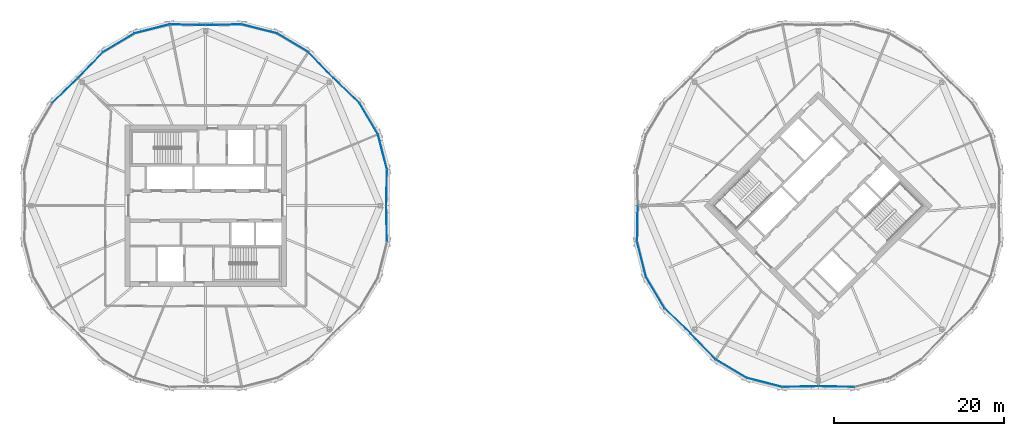
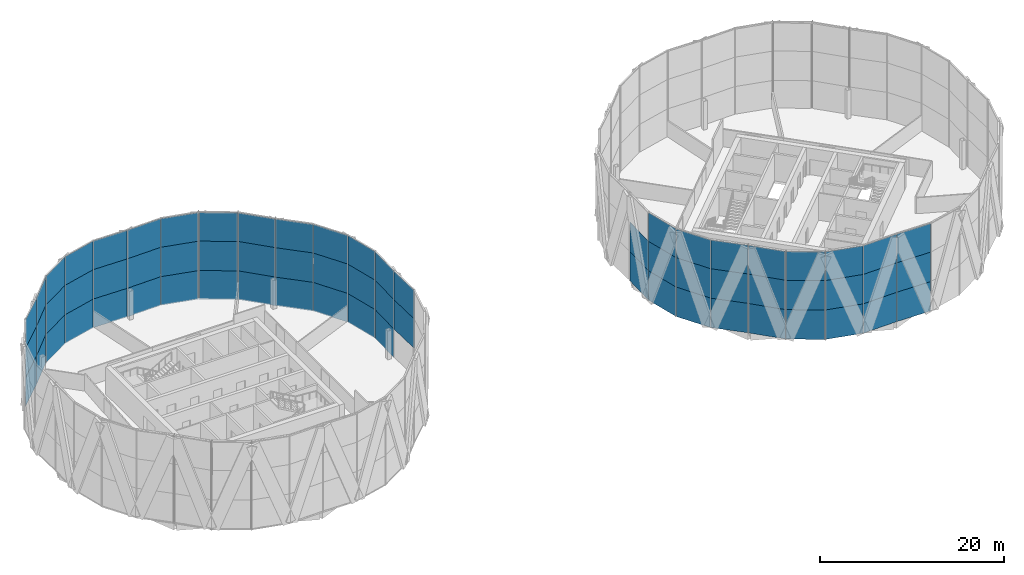
# One storey, part 16 of 25: 67 plates, 8 elements without a shape of their own.
"""IFC4 building model written with IfcOpenShell, lengths in metres."""

from ifc_helpers import new_model, si_unit, direction, frame, origin, origin_2d, place, context, subcontext, project, spatial, rectangle, extrude, material, layer, layer_set, type_object, element, aggregate, save


model = new_model("IFC4")

# Units and contexts
model_context = context("Model", 3, precision=1e-05, world=origin(), true_north=direction((0.0, 1.0)))
body_context = subcontext(model_context, "Body", "Model", "MODEL_VIEW")
ifc_project = project(units=[si_unit("LENGTHUNIT", "METRE"), si_unit("AREAUNIT", "SQUARE_METRE"), si_unit("VOLUMEUNIT", "CUBIC_METRE"), si_unit("PLANEANGLEUNIT", "RADIAN"), si_unit("MASSUNIT", "GRAM", prefix="KILO")], contexts=[model_context])

# Site, building, storey
site_placement = place(None, origin())
site = spatial("IfcSite", under=ifc_project, at=site_placement, CompositionType="ELEMENT")
building_placement = place(site_placement, origin())
building = spatial("IfcBuilding", under=site, at=building_placement, Name="Ogive Gate Towers", CompositionType="ELEMENT")
storey_placement = place(building_placement, frame((0.0, 0.0, 196.800048828125)))
storey = spatial("IfcBuildingStorey", under=building, at=storey_placement, Name="L47", CompositionType="ELEMENT", Elevation=196.800048828125)

# Curtain wall, plates
ifc_material_1 = material(Name="Pale metal aluminium", Category="aluminium")
curtain_wall_type = type_object("IfcCurtainWallType", Name="Tower unitised wall, high zone", PredefinedType="NOTDEFINED", material=ifc_material_1)
curtain_wall_1_placement = place(storey_placement, origin())
curtain_wall_1 = element("IfcCurtainWall", 1, at=curtain_wall_1_placement, inside=storey, type_object=curtain_wall_type, Name="CW2 T1 ECW01", PredefinedType="NOTDEFINED")
ifc_material_2 = material(Name="Clear glass", Category="glass")
ifc_layer = layer(ifc_material_2, 0.028076171875)
ifc_layer_set = layer_set([ifc_layer], Name="Tower unitised wall, high zone glass panel")
plate_type = type_object("IfcPlateType", Name="Tower unitised wall, high zone glass panel", PredefinedType="CURTAIN_PANEL", material=ifc_layer_set)
plate_1_placement = place(storey_placement, frame((-14.737548828125, 2.11279296875, -0.2041015625), z_axis=(0.0, 0.0, 1.0), x_axis=(0.020052489003, 0.999798928628, 0.0)))
plate_1 = element("IfcPlate", 2, at=plate_1_placement, type_object=plate_type, Name="CW2 glass panel", PredefinedType="CURTAIN_PANEL", context=body_context, shape_type="SweptSolid", body=[
    extrude(rectangle(XDim=4.17236328125, YDim=0.028076171875, at=origin_2d()), origin(), (0.0, 0.0, 1.0), 3.803955078125),
])
plate_2_placement = place(storey_placement, frame((-14.737548828125, 2.11279296875, 3.60009765625), z_axis=(0.0, 0.0, 1.0), x_axis=(0.020052489003, 0.999798928628, 0.0)))
plate_2 = element("IfcPlate", 3, at=plate_2_placement, type_object=plate_type, Name="CW2 glass panel", PredefinedType="CURTAIN_PANEL", context=body_context, shape_type="SweptSolid", body=[
    extrude(rectangle(XDim=4.17236328125, YDim=0.028076171875, at=origin_2d()), origin(), (0.0, 0.0, 1.0), 3.89990234375),
])
plate_3_placement = place(storey_placement, frame((-14.737548828125, 2.11279296875, 7.5), z_axis=(0.0, 0.0, 1.0), x_axis=(0.020052489003, 0.999798928628, 0.0)))
plate_3 = element("IfcPlate", 4, at=plate_3_placement, type_object=plate_type, Name="CW2 glass panel", PredefinedType="CURTAIN_PANEL", context=body_context, shape_type="SweptSolid", body=[
    extrude(rectangle(XDim=4.17236328125, YDim=0.028076171875, at=origin_2d()), origin(), (0.0, 0.0, 1.0), 3.803955078125),
])
plate_4_placement = place(storey_placement, frame((-15.221435546875, 6.30908203125, -0.2041015625), z_axis=(0.0, 0.0, 1.0), x_axis=(-0.245290465828, 0.969449631169, 0.0)))
plate_4 = element("IfcPlate", 5, at=plate_4_placement, type_object=plate_type, Name="CW2 glass panel", PredefinedType="CURTAIN_PANEL", context=body_context, shape_type="SweptSolid", body=[
    extrude(rectangle(XDim=4.228515625, YDim=0.028076171875, at=origin_2d()), origin(), (0.0, 0.0, 1.0), 3.803955078125),
])
plate_5_placement = place(storey_placement, frame((-15.221435546875, 6.30908203125, 3.60009765625), z_axis=(0.0, 0.0, 1.0), x_axis=(-0.245290465828, 0.969449631169, 0.0)))
plate_5 = element("IfcPlate", 6, at=plate_5_placement, type_object=plate_type, Name="CW2 glass panel", PredefinedType="CURTAIN_PANEL", context=body_context, shape_type="SweptSolid", body=[
    extrude(rectangle(XDim=4.228515625, YDim=0.028076171875, at=origin_2d()), origin(), (0.0, 0.0, 1.0), 3.89990234375),
])
plate_6_placement = place(storey_placement, frame((-15.221435546875, 6.30908203125, 7.5), z_axis=(0.0, 0.0, 1.0), x_axis=(-0.245290465828, 0.969449631169, 0.0)))
plate_6 = element("IfcPlate", 7, at=plate_6_placement, type_object=plate_type, Name="CW2 glass panel", PredefinedType="CURTAIN_PANEL", context=body_context, shape_type="SweptSolid", body=[
    extrude(rectangle(XDim=4.228515625, YDim=0.028076171875, at=origin_2d()), origin(), (0.0, 0.0, 1.0), 3.803955078125),
])
plate_7_placement = place(storey_placement, frame((-16.84619140625, 10.231689453125, -0.2041015625), z_axis=(0.0, 0.0, 1.0), x_axis=(-0.512057856471, 0.858950959966, 0.0)))
plate_7 = element("IfcPlate", 8, at=plate_7_placement, type_object=plate_type, Name="CW2 glass panel", PredefinedType="CURTAIN_PANEL", context=body_context, shape_type="SweptSolid", body=[
    extrude(rectangle(XDim=4.228515625, YDim=0.028076171875, at=origin_2d()), origin(), (0.0, 0.0, 1.0), 3.803955078125),
])
plate_8_placement = place(storey_placement, frame((-16.84619140625, 10.231689453125, 3.60009765625), z_axis=(0.0, 0.0, 1.0), x_axis=(-0.512057856471, 0.858950959966, 0.0)))
plate_8 = element("IfcPlate", 9, at=plate_8_placement, type_object=plate_type, Name="CW2 glass panel", PredefinedType="CURTAIN_PANEL", context=body_context, shape_type="SweptSolid", body=[
    extrude(rectangle(XDim=4.228515625, YDim=0.028076171875, at=origin_2d()), origin(), (0.0, 0.0, 1.0), 3.89990234375),
])
plate_9_placement = place(storey_placement, frame((-16.84619140625, 10.231689453125, 7.5), z_axis=(0.0, 0.0, 1.0), x_axis=(-0.512057856471, 0.858950959966, 0.0)))
plate_9 = element("IfcPlate", 10, at=plate_9_placement, type_object=plate_type, Name="CW2 glass panel", PredefinedType="CURTAIN_PANEL", context=body_context, shape_type="SweptSolid", body=[
    extrude(rectangle(XDim=4.228515625, YDim=0.028076171875, at=origin_2d()), origin(), (0.0, 0.0, 1.0), 3.803955078125),
])
plate_10_placement = place(storey_placement, frame((-19.47119140625, 13.540771484375, -0.2041015625), z_axis=(0.0, 0.0, 1.0), x_axis=(-0.72114385321, 0.692785351302, 0.0)))
plate_10 = element("IfcPlate", 11, at=plate_10_placement, type_object=plate_type, Name="CW2 glass panel", PredefinedType="CURTAIN_PANEL", context=body_context, shape_type="SweptSolid", body=[
    extrude(rectangle(XDim=4.17236328125, YDim=0.028076171875, at=origin_2d()), origin(), (0.0, 0.0, 1.0), 3.803955078125),
])
plate_11_placement = place(storey_placement, frame((-19.47119140625, 13.540771484375, 3.60009765625), z_axis=(0.0, 0.0, 1.0), x_axis=(-0.72114385321, 0.692785351302, 0.0)))
plate_11 = element("IfcPlate", 12, at=plate_11_placement, type_object=plate_type, Name="CW2 glass panel", PredefinedType="CURTAIN_PANEL", context=body_context, shape_type="SweptSolid", body=[
    extrude(rectangle(XDim=4.17236328125, YDim=0.028076171875, at=origin_2d()), origin(), (0.0, 0.0, 1.0), 3.89990234375),
])
plate_12_placement = place(storey_placement, frame((-19.47119140625, 13.540771484375, 7.5), z_axis=(0.0, 0.0, 1.0), x_axis=(-0.72114385321, 0.692785351302, 0.0)))
plate_12 = element("IfcPlate", 13, at=plate_12_placement, type_object=plate_type, Name="CW2 glass panel", PredefinedType="CURTAIN_PANEL", context=body_context, shape_type="SweptSolid", body=[
    extrude(rectangle(XDim=4.17236328125, YDim=0.028076171875, at=origin_2d()), origin(), (0.0, 0.0, 1.0), 3.803955078125),
])
aggregate(curtain_wall_1, [plate_1, plate_2, plate_3, plate_4, plate_5, plate_6, plate_7, plate_8, plate_9, plate_10, plate_11, plate_12])

curtain_wall_2_placement = place(storey_placement, origin())
curtain_wall_2 = element("IfcCurtainWall", 14, at=curtain_wall_2_placement, inside=storey, type_object=curtain_wall_type, Name="CW2 T1 ECW02", PredefinedType="NOTDEFINED")
plate_13_placement = place(storey_placement, frame((-22.459228515625, 16.52880859375, -0.2041015625), z_axis=(0.0, 0.0, 1.0), x_axis=(-0.692785351302, 0.72114385321, 0.0)))
plate_13 = element("IfcPlate", 15, at=plate_13_placement, type_object=plate_type, Name="CW2 glass panel", PredefinedType="CURTAIN_PANEL", context=body_context, shape_type="SweptSolid", body=[
    extrude(rectangle(XDim=4.17236328125, YDim=0.028076171875, at=origin_2d()), origin(), (0.0, 0.0, 1.0), 3.803955078125),
])
plate_14_placement = place(storey_placement, frame((-22.459228515625, 16.52880859375, 3.60009765625), z_axis=(0.0, 0.0, 1.0), x_axis=(-0.692785351302, 0.72114385321, 0.0)))
plate_14 = element("IfcPlate", 16, at=plate_14_placement, type_object=plate_type, Name="CW2 glass panel", PredefinedType="CURTAIN_PANEL", context=body_context, shape_type="SweptSolid", body=[
    extrude(rectangle(XDim=4.17236328125, YDim=0.028076171875, at=origin_2d()), origin(), (0.0, 0.0, 1.0), 3.89990234375),
])
plate_15_placement = place(storey_placement, frame((-22.459228515625, 16.52880859375, 7.5), z_axis=(0.0, 0.0, 1.0), x_axis=(-0.692785351302, 0.72114385321, 0.0)))
plate_15 = element("IfcPlate", 17, at=plate_15_placement, type_object=plate_type, Name="CW2 glass panel", PredefinedType="CURTAIN_PANEL", context=body_context, shape_type="SweptSolid", body=[
    extrude(rectangle(XDim=4.17236328125, YDim=0.028076171875, at=origin_2d()), origin(), (0.0, 0.0, 1.0), 3.803955078125),
])
plate_16_placement = place(storey_placement, frame((-25.768310546875, 19.15380859375, -0.2041015625), z_axis=(0.0, 0.0, 1.0), x_axis=(-0.858950959966, 0.512057856471, 0.0)))
plate_16 = element("IfcPlate", 18, at=plate_16_placement, type_object=plate_type, Name="CW2 glass panel", PredefinedType="CURTAIN_PANEL", context=body_context, shape_type="SweptSolid", body=[
    extrude(rectangle(XDim=4.228515625, YDim=0.028076171875, at=origin_2d()), origin(), (0.0, 0.0, 1.0), 3.803955078125),
])
plate_17_placement = place(storey_placement, frame((-25.768310546875, 19.15380859375, 3.60009765625), z_axis=(0.0, 0.0, 1.0), x_axis=(-0.858950959966, 0.512057856471, 0.0)))
plate_17 = element("IfcPlate", 19, at=plate_17_placement, type_object=plate_type, Name="CW2 glass panel", PredefinedType="CURTAIN_PANEL", context=body_context, shape_type="SweptSolid", body=[
    extrude(rectangle(XDim=4.228515625, YDim=0.028076171875, at=origin_2d()), origin(), (0.0, 0.0, 1.0), 3.89990234375),
])
plate_18_placement = place(storey_placement, frame((-25.768310546875, 19.15380859375, 7.5), z_axis=(0.0, 0.0, 1.0), x_axis=(-0.858950959966, 0.512057856471, 0.0)))
plate_18 = element("IfcPlate", 20, at=plate_18_placement, type_object=plate_type, Name="CW2 glass panel", PredefinedType="CURTAIN_PANEL", context=body_context, shape_type="SweptSolid", body=[
    extrude(rectangle(XDim=4.228515625, YDim=0.028076171875, at=origin_2d()), origin(), (0.0, 0.0, 1.0), 3.803955078125),
])
plate_19_placement = place(storey_placement, frame((-29.69091796875, 20.778564453125, -0.2041015625), z_axis=(0.0, 0.0, 1.0), x_axis=(-0.969449631169, 0.245290465828, 0.0)))
plate_19 = element("IfcPlate", 21, at=plate_19_placement, type_object=plate_type, Name="CW2 glass panel", PredefinedType="CURTAIN_PANEL", context=body_context, shape_type="SweptSolid", body=[
    extrude(rectangle(XDim=4.228515625, YDim=0.028076171875, at=origin_2d()), origin(), (0.0, 0.0, 1.0), 3.803955078125),
])
plate_20_placement = place(storey_placement, frame((-29.69091796875, 20.778564453125, 3.60009765625), z_axis=(0.0, 0.0, 1.0), x_axis=(-0.969449631169, 0.245290465828, 0.0)))
plate_20 = element("IfcPlate", 22, at=plate_20_placement, type_object=plate_type, Name="CW2 glass panel", PredefinedType="CURTAIN_PANEL", context=body_context, shape_type="SweptSolid", body=[
    extrude(rectangle(XDim=4.228515625, YDim=0.028076171875, at=origin_2d()), origin(), (0.0, 0.0, 1.0), 3.89990234375),
])
plate_21_placement = place(storey_placement, frame((-29.69091796875, 20.778564453125, 7.5), z_axis=(0.0, 0.0, 1.0), x_axis=(-0.969449631169, 0.245290465828, 0.0)))
plate_21 = element("IfcPlate", 23, at=plate_21_placement, type_object=plate_type, Name="CW2 glass panel", PredefinedType="CURTAIN_PANEL", context=body_context, shape_type="SweptSolid", body=[
    extrude(rectangle(XDim=4.228515625, YDim=0.028076171875, at=origin_2d()), origin(), (0.0, 0.0, 1.0), 3.803955078125),
])
plate_22_placement = place(storey_placement, frame((-33.88720703125, 21.262451171875, -0.2041015625), z_axis=(0.0, 0.0, 1.0), x_axis=(-0.999798928628, -0.020052489003, 0.0)))
plate_22 = element("IfcPlate", 24, at=plate_22_placement, type_object=plate_type, Name="CW2 glass panel", PredefinedType="CURTAIN_PANEL", context=body_context, shape_type="SweptSolid", body=[
    extrude(rectangle(XDim=4.17236328125, YDim=0.028076171875, at=origin_2d()), origin(), (0.0, 0.0, 1.0), 3.803955078125),
])
plate_23_placement = place(storey_placement, frame((-33.88720703125, 21.262451171875, 3.60009765625), z_axis=(0.0, 0.0, 1.0), x_axis=(-0.999798928628, -0.020052489003, 0.0)))
plate_23 = element("IfcPlate", 25, at=plate_23_placement, type_object=plate_type, Name="CW2 glass panel", PredefinedType="CURTAIN_PANEL", context=body_context, shape_type="SweptSolid", body=[
    extrude(rectangle(XDim=4.17236328125, YDim=0.028076171875, at=origin_2d()), origin(), (0.0, 0.0, 1.0), 3.89990234375),
])
plate_24_placement = place(storey_placement, frame((-33.88720703125, 21.262451171875, 7.5), z_axis=(0.0, 0.0, 1.0), x_axis=(-0.999798928628, -0.020052489003, 0.0)))
plate_24 = element("IfcPlate", 26, at=plate_24_placement, type_object=plate_type, Name="CW2 glass panel", PredefinedType="CURTAIN_PANEL", context=body_context, shape_type="SweptSolid", body=[
    extrude(rectangle(XDim=4.17236328125, YDim=0.028076171875, at=origin_2d()), origin(), (0.0, 0.0, 1.0), 3.803955078125),
])
aggregate(curtain_wall_2, [plate_13, plate_14, plate_15, plate_16, plate_17, plate_18, plate_19, plate_20, plate_21, plate_22, plate_23, plate_24])

curtain_wall_3_placement = place(storey_placement, origin())
curtain_wall_3 = element("IfcCurtainWall", 27, at=curtain_wall_3_placement, inside=storey, type_object=curtain_wall_type, Name="CW2 T1 ECW03", PredefinedType="NOTDEFINED")
plate_25_placement = place(storey_placement, frame((-38.11279296875, 21.262451171875, -0.2041015625), z_axis=(0.0, 0.0, 1.0), x_axis=(-0.999798928628, 0.020052489003, 0.0)))
plate_25 = element("IfcPlate", 28, at=plate_25_placement, type_object=plate_type, Name="CW2 glass panel", PredefinedType="CURTAIN_PANEL", context=body_context, shape_type="SweptSolid", body=[
    extrude(rectangle(XDim=4.17236328125, YDim=0.028076171875, at=origin_2d()), origin(), (0.0, 0.0, 1.0), 3.803955078125),
])
plate_26_placement = place(storey_placement, frame((-38.11279296875, 21.262451171875, 3.60009765625), z_axis=(0.0, 0.0, 1.0), x_axis=(-0.999798928628, 0.020052489003, 0.0)))
plate_26 = element("IfcPlate", 29, at=plate_26_placement, type_object=plate_type, Name="CW2 glass panel", PredefinedType="CURTAIN_PANEL", context=body_context, shape_type="SweptSolid", body=[
    extrude(rectangle(XDim=4.17236328125, YDim=0.028076171875, at=origin_2d()), origin(), (0.0, 0.0, 1.0), 3.89990234375),
])
plate_27_placement = place(storey_placement, frame((-38.11279296875, 21.262451171875, 7.5), z_axis=(0.0, 0.0, 1.0), x_axis=(-0.999798928628, 0.020052489003, 0.0)))
plate_27 = element("IfcPlate", 30, at=plate_27_placement, type_object=plate_type, Name="CW2 glass panel", PredefinedType="CURTAIN_PANEL", context=body_context, shape_type="SweptSolid", body=[
    extrude(rectangle(XDim=4.17236328125, YDim=0.028076171875, at=origin_2d()), origin(), (0.0, 0.0, 1.0), 3.803955078125),
])
plate_28_placement = place(storey_placement, frame((-42.30908203125, 20.778564453125, -0.2041015625), z_axis=(0.0, 0.0, 1.0), x_axis=(-0.969449631169, -0.245290465828, 0.0)))
plate_28 = element("IfcPlate", 31, at=plate_28_placement, type_object=plate_type, Name="CW2 glass panel", PredefinedType="CURTAIN_PANEL", context=body_context, shape_type="SweptSolid", body=[
    extrude(rectangle(XDim=4.228515625, YDim=0.028076171875, at=origin_2d()), origin(), (0.0, 0.0, 1.0), 3.803955078125),
])
plate_29_placement = place(storey_placement, frame((-42.30908203125, 20.778564453125, 3.60009765625), z_axis=(0.0, 0.0, 1.0), x_axis=(-0.969449631169, -0.245290465828, 0.0)))
plate_29 = element("IfcPlate", 32, at=plate_29_placement, type_object=plate_type, Name="CW2 glass panel", PredefinedType="CURTAIN_PANEL", context=body_context, shape_type="SweptSolid", body=[
    extrude(rectangle(XDim=4.228515625, YDim=0.028076171875, at=origin_2d()), origin(), (0.0, 0.0, 1.0), 3.89990234375),
])
plate_30_placement = place(storey_placement, frame((-42.30908203125, 20.778564453125, 7.5), z_axis=(0.0, 0.0, 1.0), x_axis=(-0.969449631169, -0.245290465828, 0.0)))
plate_30 = element("IfcPlate", 33, at=plate_30_placement, type_object=plate_type, Name="CW2 glass panel", PredefinedType="CURTAIN_PANEL", context=body_context, shape_type="SweptSolid", body=[
    extrude(rectangle(XDim=4.228515625, YDim=0.028076171875, at=origin_2d()), origin(), (0.0, 0.0, 1.0), 3.803955078125),
])
plate_31_placement = place(storey_placement, frame((-46.231689453125, 19.15380859375, -0.2041015625), z_axis=(0.0, 0.0, 1.0), x_axis=(-0.858950959966, -0.512057856471, 0.0)))
plate_31 = element("IfcPlate", 34, at=plate_31_placement, type_object=plate_type, Name="CW2 glass panel", PredefinedType="CURTAIN_PANEL", context=body_context, shape_type="SweptSolid", body=[
    extrude(rectangle(XDim=4.228515625, YDim=0.028076171875, at=origin_2d()), origin(), (0.0, 0.0, 1.0), 3.803955078125),
])
plate_32_placement = place(storey_placement, frame((-46.231689453125, 19.15380859375, 3.60009765625), z_axis=(0.0, 0.0, 1.0), x_axis=(-0.858950959966, -0.512057856471, 0.0)))
plate_32 = element("IfcPlate", 35, at=plate_32_placement, type_object=plate_type, Name="CW2 glass panel", PredefinedType="CURTAIN_PANEL", context=body_context, shape_type="SweptSolid", body=[
    extrude(rectangle(XDim=4.228515625, YDim=0.028076171875, at=origin_2d()), origin(), (0.0, 0.0, 1.0), 3.89990234375),
])
plate_33_placement = place(storey_placement, frame((-46.231689453125, 19.15380859375, 7.5), z_axis=(0.0, 0.0, 1.0), x_axis=(-0.858950959966, -0.512057856471, 0.0)))
plate_33 = element("IfcPlate", 36, at=plate_33_placement, type_object=plate_type, Name="CW2 glass panel", PredefinedType="CURTAIN_PANEL", context=body_context, shape_type="SweptSolid", body=[
    extrude(rectangle(XDim=4.228515625, YDim=0.028076171875, at=origin_2d()), origin(), (0.0, 0.0, 1.0), 3.803955078125),
])
plate_34_placement = place(storey_placement, frame((-49.540771484375, 16.52880859375, -0.2041015625), z_axis=(0.0, 0.0, 1.0), x_axis=(-0.692785351302, -0.72114385321, 0.0)))
plate_34 = element("IfcPlate", 37, at=plate_34_placement, type_object=plate_type, Name="CW2 glass panel", PredefinedType="CURTAIN_PANEL", context=body_context, shape_type="SweptSolid", body=[
    extrude(rectangle(XDim=4.17236328125, YDim=0.028076171875, at=origin_2d()), origin(), (0.0, 0.0, 1.0), 3.803955078125),
])
plate_35_placement = place(storey_placement, frame((-49.540771484375, 16.52880859375, 3.60009765625), z_axis=(0.0, 0.0, 1.0), x_axis=(-0.692785351302, -0.72114385321, 0.0)))
plate_35 = element("IfcPlate", 38, at=plate_35_placement, type_object=plate_type, Name="CW2 glass panel", PredefinedType="CURTAIN_PANEL", context=body_context, shape_type="SweptSolid", body=[
    extrude(rectangle(XDim=4.17236328125, YDim=0.028076171875, at=origin_2d()), origin(), (0.0, 0.0, 1.0), 3.89990234375),
])
plate_36_placement = place(storey_placement, frame((-49.540771484375, 16.52880859375, 7.5), z_axis=(0.0, 0.0, 1.0), x_axis=(-0.692785351302, -0.72114385321, 0.0)))
plate_36 = element("IfcPlate", 39, at=plate_36_placement, type_object=plate_type, Name="CW2 glass panel", PredefinedType="CURTAIN_PANEL", context=body_context, shape_type="SweptSolid", body=[
    extrude(rectangle(XDim=4.17236328125, YDim=0.028076171875, at=origin_2d()), origin(), (0.0, 0.0, 1.0), 3.803955078125),
])
aggregate(curtain_wall_3, [plate_25, plate_26, plate_27, plate_28, plate_29, plate_30, plate_31, plate_32, plate_33, plate_34, plate_35, plate_36])

curtain_wall_4_placement = place(storey_placement, origin())
curtain_wall_4 = element("IfcCurtainWall", 40, at=curtain_wall_4_placement, inside=storey, type_object=curtain_wall_type, Name="CW2 T1 ECW04", PredefinedType="NOTDEFINED")
plate_37_placement = place(storey_placement, frame((-52.52880859375, 13.540771484375, -0.2041015625), z_axis=(0.0, 0.0, 1.0), x_axis=(-0.72114385321, -0.692785351302, 0.0)))
plate_37 = element("IfcPlate", 41, at=plate_37_placement, type_object=plate_type, Name="CW2 glass panel", PredefinedType="CURTAIN_PANEL", context=body_context, shape_type="SweptSolid", body=[
    extrude(rectangle(XDim=4.17236328125, YDim=0.028076171875, at=origin_2d()), origin(), (0.0, 0.0, 1.0), 3.803955078125),
])
plate_38_placement = place(storey_placement, frame((-52.52880859375, 13.540771484375, 3.60009765625), z_axis=(0.0, 0.0, 1.0), x_axis=(-0.72114385321, -0.692785351302, 0.0)))
plate_38 = element("IfcPlate", 42, at=plate_38_placement, type_object=plate_type, Name="CW2 glass panel", PredefinedType="CURTAIN_PANEL", context=body_context, shape_type="SweptSolid", body=[
    extrude(rectangle(XDim=4.17236328125, YDim=0.028076171875, at=origin_2d()), origin(), (0.0, 0.0, 1.0), 3.89990234375),
])
plate_39_placement = place(storey_placement, frame((-52.52880859375, 13.540771484375, 7.5), z_axis=(0.0, 0.0, 1.0), x_axis=(-0.72114385321, -0.692785351302, 0.0)))
plate_39 = element("IfcPlate", 43, at=plate_39_placement, type_object=plate_type, Name="CW2 glass panel", PredefinedType="CURTAIN_PANEL", context=body_context, shape_type="SweptSolid", body=[
    extrude(rectangle(XDim=4.17236328125, YDim=0.028076171875, at=origin_2d()), origin(), (0.0, 0.0, 1.0), 3.803955078125),
])
aggregate(curtain_wall_4, [plate_37, plate_38, plate_39])

curtain_wall_5_placement = place(storey_placement, origin())
curtain_wall_5 = element("IfcCurtainWall", 44, at=curtain_wall_5_placement, inside=storey, type_object=curtain_wall_type, Name="CW2 T1 ECW08", PredefinedType="NOTDEFINED")
plate_40_placement = place(storey_placement, frame((-14.737548828125, -2.11279296875, 3.60009765625), z_axis=(0.0, 0.0, 1.0), x_axis=(-0.020052489003, 0.999798928628, 0.0)))
plate_40 = element("IfcPlate", 45, at=plate_40_placement, type_object=plate_type, Name="CW2 glass panel", PredefinedType="CURTAIN_PANEL", context=body_context, shape_type="SweptSolid", body=[
    extrude(rectangle(XDim=4.17236328125, YDim=0.028076171875, at=origin_2d()), origin(), (0.0, 0.0, 1.0), 3.89990234375),
])
plate_41_placement = place(storey_placement, frame((-14.737548828125, -2.11279296875, 7.5), z_axis=(0.0, 0.0, 1.0), x_axis=(-0.020052489003, 0.999798928628, 0.0)))
plate_41 = element("IfcPlate", 46, at=plate_41_placement, type_object=plate_type, Name="CW2 glass panel", PredefinedType="CURTAIN_PANEL", context=body_context, shape_type="SweptSolid", body=[
    extrude(rectangle(XDim=4.17236328125, YDim=0.028076171875, at=origin_2d()), origin(), (0.0, 0.0, 1.0), 3.803955078125),
])
aggregate(curtain_wall_5, [plate_40, plate_41])

curtain_wall_6_placement = place(storey_placement, origin())
curtain_wall_6 = element("IfcCurtainWall", 47, at=curtain_wall_6_placement, inside=storey, type_object=curtain_wall_type, Name="CW2 T2 ECW05", PredefinedType="NOTDEFINED")
plate_42_placement = place(storey_placement, frame((14.737548828125, -2.11279296875, -0.300048828125), z_axis=(0.0, 0.0, 1.0), x_axis=(-0.020052489003, -0.999798928628, 0.0)))
plate_42 = element("IfcPlate", 48, at=plate_42_placement, type_object=plate_type, Name="CW2 glass panel", PredefinedType="CURTAIN_PANEL", context=body_context, shape_type="SweptSolid", body=[
    extrude(rectangle(XDim=4.17236328125, YDim=0.028076171875, at=origin_2d()), origin(), (0.0, 0.0, 1.0), 3.89990234375),
])
plate_43_placement = place(storey_placement, frame((14.737548828125, -2.11279296875, 3.60009765625), z_axis=(0.0, 0.0, 1.0), x_axis=(-0.020052489003, -0.999798928628, 0.0)))
plate_43 = element("IfcPlate", 49, at=plate_43_placement, type_object=plate_type, Name="CW2 glass panel", PredefinedType="CURTAIN_PANEL", context=body_context, shape_type="SweptSolid", body=[
    extrude(rectangle(XDim=4.17236328125, YDim=0.028076171875, at=origin_2d()), origin(), (0.0, 0.0, 1.0), 3.89990234375),
])
plate_44_placement = place(storey_placement, frame((15.221435546875, -6.30908203125, -0.300048828125), z_axis=(0.0, 0.0, 1.0), x_axis=(0.245290465828, -0.969449631169, 0.0)))
plate_44 = element("IfcPlate", 50, at=plate_44_placement, type_object=plate_type, Name="CW2 glass panel", PredefinedType="CURTAIN_PANEL", context=body_context, shape_type="SweptSolid", body=[
    extrude(rectangle(XDim=4.228515625, YDim=0.028076171875, at=origin_2d()), origin(), (0.0, 0.0, 1.0), 3.89990234375),
])
plate_45_placement = place(storey_placement, frame((15.221435546875, -6.30908203125, 3.60009765625), z_axis=(0.0, 0.0, 1.0), x_axis=(0.245290465828, -0.969449631169, 0.0)))
plate_45 = element("IfcPlate", 51, at=plate_45_placement, type_object=plate_type, Name="CW2 glass panel", PredefinedType="CURTAIN_PANEL", context=body_context, shape_type="SweptSolid", body=[
    extrude(rectangle(XDim=4.228515625, YDim=0.028076171875, at=origin_2d()), origin(), (0.0, 0.0, 1.0), 3.89990234375),
])
plate_46_placement = place(storey_placement, frame((15.221435546875, -6.30908203125, 7.5), z_axis=(0.0, 0.0, 1.0), x_axis=(0.245290465828, -0.969449631169, 0.0)))
plate_46 = element("IfcPlate", 52, at=plate_46_placement, type_object=plate_type, Name="CW2 glass panel", PredefinedType="CURTAIN_PANEL", context=body_context, shape_type="SweptSolid", body=[
    extrude(rectangle(XDim=4.228515625, YDim=0.028076171875, at=origin_2d()), origin(), (0.0, 0.0, 1.0), 3.803955078125),
])
plate_47_placement = place(storey_placement, frame((16.84619140625, -10.231689453125, -0.300048828125), z_axis=(0.0, 0.0, 1.0), x_axis=(0.512057856471, -0.858950959966, 0.0)))
plate_47 = element("IfcPlate", 53, at=plate_47_placement, type_object=plate_type, Name="CW2 glass panel", PredefinedType="CURTAIN_PANEL", context=body_context, shape_type="SweptSolid", body=[
    extrude(rectangle(XDim=4.228515625, YDim=0.028076171875, at=origin_2d()), origin(), (0.0, 0.0, 1.0), 3.89990234375),
])
plate_48_placement = place(storey_placement, frame((16.84619140625, -10.231689453125, 3.60009765625), z_axis=(0.0, 0.0, 1.0), x_axis=(0.512057856471, -0.858950959966, 0.0)))
plate_48 = element("IfcPlate", 54, at=plate_48_placement, type_object=plate_type, Name="CW2 glass panel", PredefinedType="CURTAIN_PANEL", context=body_context, shape_type="SweptSolid", body=[
    extrude(rectangle(XDim=4.228515625, YDim=0.028076171875, at=origin_2d()), origin(), (0.0, 0.0, 1.0), 3.89990234375),
])
plate_49_placement = place(storey_placement, frame((16.84619140625, -10.231689453125, 7.5), z_axis=(0.0, 0.0, 1.0), x_axis=(0.512057856471, -0.858950959966, 0.0)))
plate_49 = element("IfcPlate", 55, at=plate_49_placement, type_object=plate_type, Name="CW2 glass panel", PredefinedType="CURTAIN_PANEL", context=body_context, shape_type="SweptSolid", body=[
    extrude(rectangle(XDim=4.228515625, YDim=0.028076171875, at=origin_2d()), origin(), (0.0, 0.0, 1.0), 3.803955078125),
])
plate_50_placement = place(storey_placement, frame((19.47119140625, -13.540771484375, -0.300048828125), z_axis=(0.0, 0.0, 1.0), x_axis=(0.72114385321, -0.692785351302, 0.0)))
plate_50 = element("IfcPlate", 56, at=plate_50_placement, type_object=plate_type, Name="CW2 glass panel", PredefinedType="CURTAIN_PANEL", context=body_context, shape_type="SweptSolid", body=[
    extrude(rectangle(XDim=4.17236328125, YDim=0.028076171875, at=origin_2d()), origin(), (0.0, 0.0, 1.0), 3.89990234375),
])
plate_51_placement = place(storey_placement, frame((19.47119140625, -13.540771484375, 3.60009765625), z_axis=(0.0, 0.0, 1.0), x_axis=(0.72114385321, -0.692785351302, 0.0)))
plate_51 = element("IfcPlate", 57, at=plate_51_placement, type_object=plate_type, Name="CW2 glass panel", PredefinedType="CURTAIN_PANEL", context=body_context, shape_type="SweptSolid", body=[
    extrude(rectangle(XDim=4.17236328125, YDim=0.028076171875, at=origin_2d()), origin(), (0.0, 0.0, 1.0), 3.89990234375),
])
plate_52_placement = place(storey_placement, frame((19.47119140625, -13.540771484375, 7.5), z_axis=(0.0, 0.0, 1.0), x_axis=(0.72114385321, -0.692785351302, 0.0)))
plate_52 = element("IfcPlate", 58, at=plate_52_placement, type_object=plate_type, Name="CW2 glass panel", PredefinedType="CURTAIN_PANEL", context=body_context, shape_type="SweptSolid", body=[
    extrude(rectangle(XDim=4.17236328125, YDim=0.028076171875, at=origin_2d()), origin(), (0.0, 0.0, 1.0), 3.803955078125),
])
aggregate(curtain_wall_6, [plate_42, plate_43, plate_44, plate_45, plate_46, plate_47, plate_48, plate_49, plate_50, plate_51, plate_52])

curtain_wall_7_placement = place(storey_placement, origin())
curtain_wall_7 = element("IfcCurtainWall", 59, at=curtain_wall_7_placement, inside=storey, type_object=curtain_wall_type, Name="CW2 T2 ECW06", PredefinedType="NOTDEFINED")
plate_53_placement = place(storey_placement, frame((22.459228515625, -16.52880859375, -0.300048828125), z_axis=(0.0, 0.0, 1.0), x_axis=(0.692785351302, -0.72114385321, 0.0)))
plate_53 = element("IfcPlate", 60, at=plate_53_placement, type_object=plate_type, Name="CW2 glass panel", PredefinedType="CURTAIN_PANEL", context=body_context, shape_type="SweptSolid", body=[
    extrude(rectangle(XDim=4.17236328125, YDim=0.028076171875, at=origin_2d()), origin(), (0.0, 0.0, 1.0), 3.89990234375),
])
plate_54_placement = place(storey_placement, frame((22.459228515625, -16.52880859375, 3.60009765625), z_axis=(0.0, 0.0, 1.0), x_axis=(0.692785351302, -0.72114385321, 0.0)))
plate_54 = element("IfcPlate", 61, at=plate_54_placement, type_object=plate_type, Name="CW2 glass panel", PredefinedType="CURTAIN_PANEL", context=body_context, shape_type="SweptSolid", body=[
    extrude(rectangle(XDim=4.17236328125, YDim=0.028076171875, at=origin_2d()), origin(), (0.0, 0.0, 1.0), 3.89990234375),
])
plate_55_placement = place(storey_placement, frame((22.459228515625, -16.52880859375, 7.5), z_axis=(0.0, 0.0, 1.0), x_axis=(0.692785351302, -0.72114385321, 0.0)))
plate_55 = element("IfcPlate", 62, at=plate_55_placement, type_object=plate_type, Name="CW2 glass panel", PredefinedType="CURTAIN_PANEL", context=body_context, shape_type="SweptSolid", body=[
    extrude(rectangle(XDim=4.17236328125, YDim=0.028076171875, at=origin_2d()), origin(), (0.0, 0.0, 1.0), 3.803955078125),
])
plate_56_placement = place(storey_placement, frame((25.768310546875, -19.15380859375, -0.300048828125), z_axis=(0.0, 0.0, 1.0), x_axis=(0.858950959966, -0.512057856471, 0.0)))
plate_56 = element("IfcPlate", 63, at=plate_56_placement, type_object=plate_type, Name="CW2 glass panel", PredefinedType="CURTAIN_PANEL", context=body_context, shape_type="SweptSolid", body=[
    extrude(rectangle(XDim=4.228515625, YDim=0.028076171875, at=origin_2d()), origin(), (0.0, 0.0, 1.0), 3.89990234375),
])
plate_57_placement = place(storey_placement, frame((25.768310546875, -19.15380859375, 3.60009765625), z_axis=(0.0, 0.0, 1.0), x_axis=(0.858950959966, -0.512057856471, 0.0)))
plate_57 = element("IfcPlate", 64, at=plate_57_placement, type_object=plate_type, Name="CW2 glass panel", PredefinedType="CURTAIN_PANEL", context=body_context, shape_type="SweptSolid", body=[
    extrude(rectangle(XDim=4.228515625, YDim=0.028076171875, at=origin_2d()), origin(), (0.0, 0.0, 1.0), 3.89990234375),
])
plate_58_placement = place(storey_placement, frame((25.768310546875, -19.15380859375, 7.5), z_axis=(0.0, 0.0, 1.0), x_axis=(0.858950959966, -0.512057856471, 0.0)))
plate_58 = element("IfcPlate", 65, at=plate_58_placement, type_object=plate_type, Name="CW2 glass panel", PredefinedType="CURTAIN_PANEL", context=body_context, shape_type="SweptSolid", body=[
    extrude(rectangle(XDim=4.228515625, YDim=0.028076171875, at=origin_2d()), origin(), (0.0, 0.0, 1.0), 3.803955078125),
])
plate_59_placement = place(storey_placement, frame((29.69091796875, -20.778564453125, -0.300048828125), z_axis=(0.0, 0.0, 1.0), x_axis=(0.969449631169, -0.245290465828, 0.0)))
plate_59 = element("IfcPlate", 66, at=plate_59_placement, type_object=plate_type, Name="CW2 glass panel", PredefinedType="CURTAIN_PANEL", context=body_context, shape_type="SweptSolid", body=[
    extrude(rectangle(XDim=4.228515625, YDim=0.028076171875, at=origin_2d()), origin(), (0.0, 0.0, 1.0), 3.89990234375),
])
plate_60_placement = place(storey_placement, frame((29.69091796875, -20.778564453125, 3.60009765625), z_axis=(0.0, 0.0, 1.0), x_axis=(0.969449631169, -0.245290465828, 0.0)))
plate_60 = element("IfcPlate", 67, at=plate_60_placement, type_object=plate_type, Name="CW2 glass panel", PredefinedType="CURTAIN_PANEL", context=body_context, shape_type="SweptSolid", body=[
    extrude(rectangle(XDim=4.228515625, YDim=0.028076171875, at=origin_2d()), origin(), (0.0, 0.0, 1.0), 3.89990234375),
])
plate_61_placement = place(storey_placement, frame((29.69091796875, -20.778564453125, 7.5), z_axis=(0.0, 0.0, 1.0), x_axis=(0.969449631169, -0.245290465828, 0.0)))
plate_61 = element("IfcPlate", 68, at=plate_61_placement, type_object=plate_type, Name="CW2 glass panel", PredefinedType="CURTAIN_PANEL", context=body_context, shape_type="SweptSolid", body=[
    extrude(rectangle(XDim=4.228515625, YDim=0.028076171875, at=origin_2d()), origin(), (0.0, 0.0, 1.0), 3.803955078125),
])
plate_62_placement = place(storey_placement, frame((33.88720703125, -21.262451171875, -0.300048828125), z_axis=(0.0, 0.0, 1.0), x_axis=(0.999798928628, 0.020052489003, 0.0)))
plate_62 = element("IfcPlate", 69, at=plate_62_placement, type_object=plate_type, Name="CW2 glass panel", PredefinedType="CURTAIN_PANEL", context=body_context, shape_type="SweptSolid", body=[
    extrude(rectangle(XDim=4.17236328125, YDim=0.028076171875, at=origin_2d()), origin(), (0.0, 0.0, 1.0), 3.89990234375),
])
plate_63_placement = place(storey_placement, frame((33.88720703125, -21.262451171875, 3.60009765625), z_axis=(0.0, 0.0, 1.0), x_axis=(0.999798928628, 0.020052489003, 0.0)))
plate_63 = element("IfcPlate", 70, at=plate_63_placement, type_object=plate_type, Name="CW2 glass panel", PredefinedType="CURTAIN_PANEL", context=body_context, shape_type="SweptSolid", body=[
    extrude(rectangle(XDim=4.17236328125, YDim=0.028076171875, at=origin_2d()), origin(), (0.0, 0.0, 1.0), 3.89990234375),
])
plate_64_placement = place(storey_placement, frame((33.88720703125, -21.262451171875, 7.5), z_axis=(0.0, 0.0, 1.0), x_axis=(0.999798928628, 0.020052489003, 0.0)))
plate_64 = element("IfcPlate", 71, at=plate_64_placement, type_object=plate_type, Name="CW2 glass panel", PredefinedType="CURTAIN_PANEL", context=body_context, shape_type="SweptSolid", body=[
    extrude(rectangle(XDim=4.17236328125, YDim=0.028076171875, at=origin_2d()), origin(), (0.0, 0.0, 1.0), 3.803955078125),
])
aggregate(curtain_wall_7, [plate_53, plate_54, plate_55, plate_56, plate_57, plate_58, plate_59, plate_60, plate_61, plate_62, plate_63, plate_64])

curtain_wall_8_placement = place(storey_placement, origin())
curtain_wall_8 = element("IfcCurtainWall", 72, at=curtain_wall_8_placement, inside=storey, type_object=curtain_wall_type, Name="CW2 T2 ECW07", PredefinedType="NOTDEFINED")
plate_65_placement = place(storey_placement, frame((38.11279296875, -21.262451171875, -0.300048828125), z_axis=(0.0, 0.0, 1.0), x_axis=(0.999798928628, -0.020052489003, 0.0)))
plate_65 = element("IfcPlate", 73, at=plate_65_placement, type_object=plate_type, Name="CW2 glass panel", PredefinedType="CURTAIN_PANEL", context=body_context, shape_type="SweptSolid", body=[
    extrude(rectangle(XDim=4.17236328125, YDim=0.028076171875, at=origin_2d()), origin(), (0.0, 0.0, 1.0), 3.89990234375),
])
plate_66_placement = place(storey_placement, frame((38.11279296875, -21.262451171875, 3.60009765625), z_axis=(0.0, 0.0, 1.0), x_axis=(0.999798928628, -0.020052489003, 0.0)))
plate_66 = element("IfcPlate", 74, at=plate_66_placement, type_object=plate_type, Name="CW2 glass panel", PredefinedType="CURTAIN_PANEL", context=body_context, shape_type="SweptSolid", body=[
    extrude(rectangle(XDim=4.17236328125, YDim=0.028076171875, at=origin_2d()), origin(), (0.0, 0.0, 1.0), 3.89990234375),
])
plate_67_placement = place(storey_placement, frame((38.11279296875, -21.262451171875, 7.5), z_axis=(0.0, 0.0, 1.0), x_axis=(0.999798928628, -0.020052489003, 0.0)))
plate_67 = element("IfcPlate", 75, at=plate_67_placement, type_object=plate_type, Name="CW2 glass panel", PredefinedType="CURTAIN_PANEL", context=body_context, shape_type="SweptSolid", body=[
    extrude(rectangle(XDim=4.17236328125, YDim=0.028076171875, at=origin_2d()), origin(), (0.0, 0.0, 1.0), 3.803955078125),
])
aggregate(curtain_wall_8, [plate_65, plate_66, plate_67])

save(model, "model.ifc")
